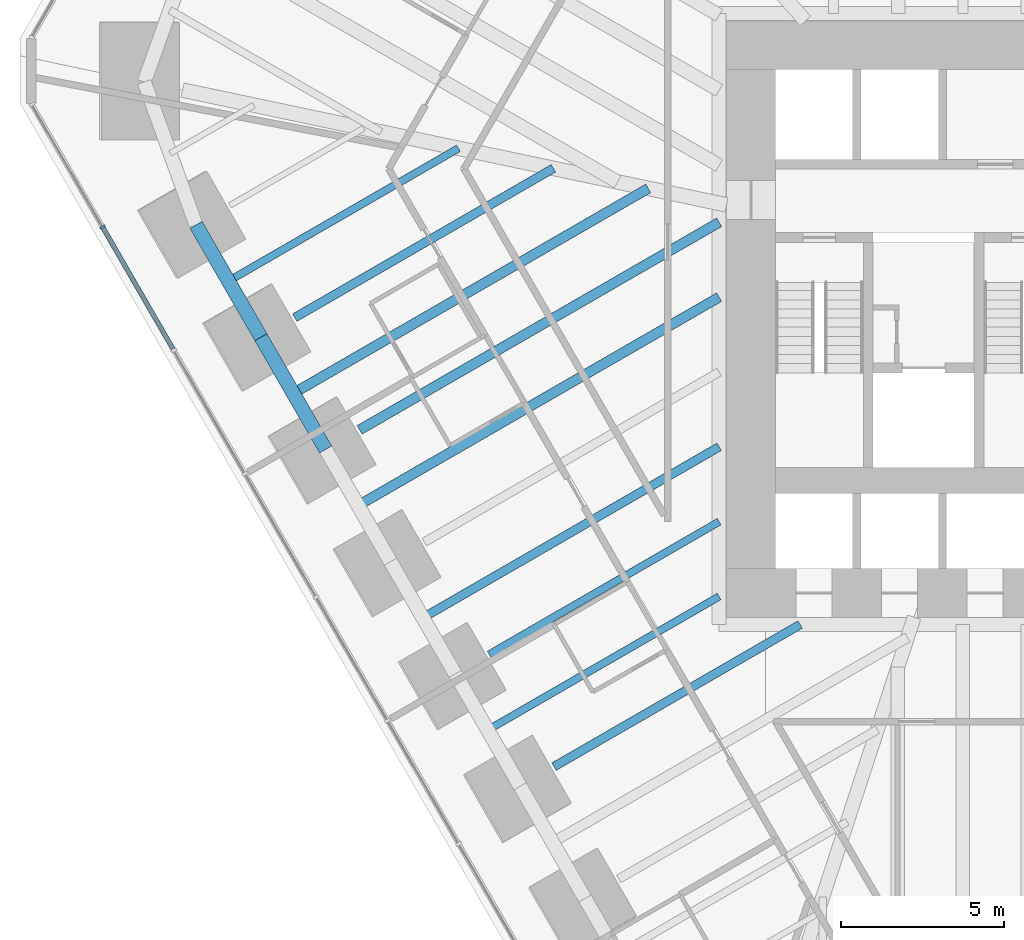
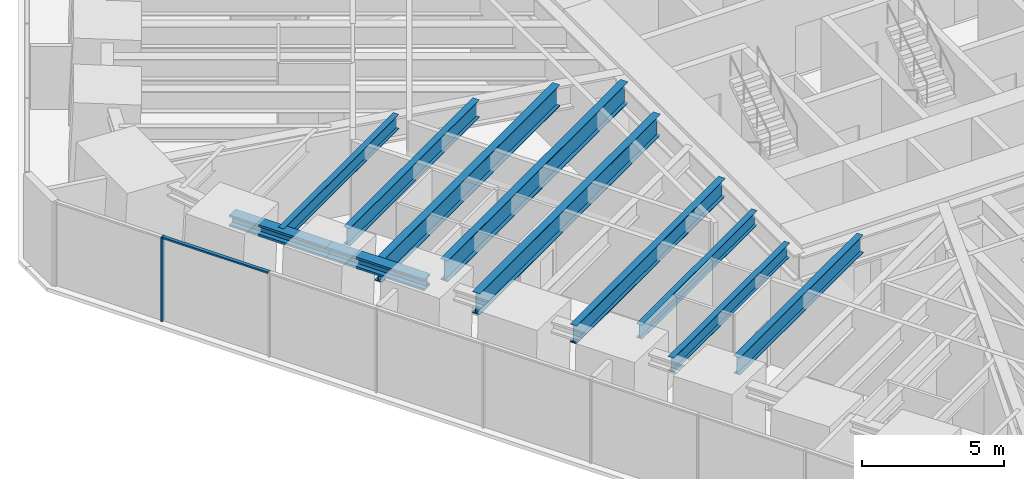
# One storey, part 3 of 17: 11 beams, 2 members, 1 element without a shape of its own.
"""IFC4 building model written with IfcOpenShell, lengths in metres."""

import ifcopenshell
import ifcopenshell.guid

model = None  # the IFC model being written
_history = None  # IfcOwnerHistory: only IFC2X3 demands one
_inside = {}  # id of a spatial element -> (the spatial element, [elements in it])
_under = {}  # id of a project, library or spatial element -> (it, [spatial elements below it])
_declared = {}  # id of a project -> (the project, [libraries it declares])
_typed = {}  # id of a type object -> (the type object, [elements of that type])
_made_of = {}  # id of a material, layer set ... -> (it, [elements and type objects made of it])


def new_model(schema):
    """Start an empty IFC model of exactly this schema.

    Asked for "IFC4X3", IfcOpenShell would pick the latest addendum, in which some entities
    have other attributes; the version numbers below select the first issue.
    IFC2X3 requires an IfcOwnerHistory on every rooted entity: one is made here for all.
    """
    global model, _history
    if schema == "IFC4X3":
        model = ifcopenshell.file(schema_version=(4, 3, 0, 0))
    else:
        model = ifcopenshell.file(schema=schema)
    _inside.clear()
    _under.clear()
    _declared.clear()
    _typed.clear()
    _made_of.clear()
    _history = None
    if model.schema == "IFC2X3":
        org = make("IfcOrganization", Name="unknown")
        user = make(
            "IfcPersonAndOrganization",
            ThePerson=make("IfcPerson", FamilyName="unknown"),
            TheOrganization=org,
        )
        app = make(
            "IfcApplication",
            ApplicationDeveloper=org,
            Version="unknown",
            ApplicationFullName="unknown",
            ApplicationIdentifier="unknown",
        )
        _history = make(
            "IfcOwnerHistory",
            OwningUser=user,
            OwningApplication=app,
            ChangeAction="ADDED",
            CreationDate=0,
        )
    return model


def make(cls, **values):
    """One entity of the class cls with the attributes given. An attribute that is None is left unset."""
    return model.create_entity(
        cls, **{name: value for name, value in values.items() if value is not None}
    )


def rooted(cls, **values):
    """An entity with a GlobalId (a new one), such as an element, a storey or a relation."""
    return make(cls, GlobalId=ifcopenshell.guid.new(), OwnerHistory=_history, **values)


def si_unit(unit_type, name, prefix=None):
    """IfcSIUnit, for example si_unit("LENGTHUNIT", "METRE", prefix="MILLI")."""
    return make("IfcSIUnit", UnitType=unit_type, Prefix=prefix, Name=name)


def assignment(units):
    """IfcUnitAssignment: the units of a project."""
    return None if units is None else make("IfcUnitAssignment", Units=units)


def point(xyz):
    """IfcCartesianPoint."""
    return None if xyz is None else make("IfcCartesianPoint", Coordinates=xyz)


def direction(xyz):
    """IfcDirection."""
    return None if xyz is None else make("IfcDirection", DirectionRatios=xyz)


def frame(location, z_axis=None, x_axis=None):
    """IfcAxis2Placement3D, a coordinate frame: its origin and axes. An axis left out is left unset."""
    return make(
        "IfcAxis2Placement3D",
        Location=point(location),
        Axis=direction(z_axis),
        RefDirection=direction(x_axis),
    )


def frame_2d(location, x_axis=None):
    """IfcAxis2Placement2D, a coordinate frame in the plane: its origin and x axis."""
    return make(
        "IfcAxis2Placement2D", Location=point(location), RefDirection=direction(x_axis)
    )


def origin():
    """The frame at (0, 0, 0) with its axes left unset."""
    return frame((0.0, 0.0, 0.0))


def origin_2d():
    """The frame at (0, 0) in the plane with its x axis left unset."""
    return frame_2d((0.0, 0.0))


def place(relative_to, where):
    """IfcLocalPlacement: puts the frame where relative to a parent placement (None: the world)."""
    return make(
        "IfcLocalPlacement", PlacementRelTo=relative_to, RelativePlacement=where
    )


def context(
    kind, dimensions, precision=None, world=None, true_north=None, identifier=None
):
    """IfcGeometricRepresentationContext, for example the 3D "Model" context."""
    return make(
        "IfcGeometricRepresentationContext",
        ContextIdentifier=identifier,
        ContextType=kind,
        CoordinateSpaceDimension=dimensions,
        Precision=precision,
        WorldCoordinateSystem=world,
        TrueNorth=true_north,
    )


def subcontext(parent, identifier, kind, view, scale=None):
    """IfcGeometricRepresentationSubContext, for example "Body" below "Model"."""
    return make(
        "IfcGeometricRepresentationSubContext",
        ContextIdentifier=identifier,
        ContextType=kind,
        ParentContext=parent,
        TargetScale=scale,
        TargetView=view,
    )


def project(units=None, contexts=None):
    """IfcProject with its units and contexts."""
    return rooted(
        "IfcProject",
        Name="project",
        RepresentationContexts=contexts,
        UnitsInContext=assignment(units),
    )


def spatial(cls, under=None, at=None, **own):
    """A site, building, storey or space (cls), placed at a placement, below another one or the project."""
    s = rooted(cls, ObjectPlacement=at, **own)
    if under is not None:
        _under.setdefault(under.id(), (under, []))[1].append(s)
    return s


def profile(cls, at=None, kind="AREA", **sizes):
    """A parametric profile (cls). Its sizes go by their IFC names, for example OverallWidth=200.0."""
    return make(cls, ProfileType=kind, Position=at, **sizes)


def rectangle(**sizes):
    """IfcRectangleProfileDef."""
    return profile("IfcRectangleProfileDef", **sizes)


def i_section(**sizes):
    """IfcIShapeProfileDef."""
    return profile("IfcIShapeProfileDef", **sizes)


def extrude(swept, where, along, depth):
    """IfcExtrudedAreaSolid: the profile swept, set in the frame where, extruded along a direction by depth."""
    return make(
        "IfcExtrudedAreaSolid",
        SweptArea=swept,
        Position=where,
        ExtrudedDirection=direction(along),
        Depth=depth,
    )


def shape(context_of_items, identifier, shape_type, items):
    """IfcShapeRepresentation: the items that make up one representation, for example the "Body"."""
    return make(
        "IfcShapeRepresentation",
        ContextOfItems=context_of_items,
        RepresentationIdentifier=identifier,
        RepresentationType=shape_type,
        Items=items,
    )


def material(Name=None, Category=None):
    """IfcMaterial."""
    return make("IfcMaterial", Name=Name, Category=Category)


def material_profile(
    of_material, cross_section, Name=None, Category=None, Priority=None
):
    """IfcMaterialProfile: a cross section and its material."""
    return make(
        "IfcMaterialProfile",
        Name=Name,
        Material=of_material,
        Profile=cross_section,
        Priority=Priority,
        Category=Category,
    )


def profile_set(profiles, Name=None, composite=None):
    """IfcMaterialProfileSet."""
    return make(
        "IfcMaterialProfileSet",
        Name=Name,
        MaterialProfiles=profiles,
        CompositeProfile=composite,
    )


def made_of(thing, what):
    """Note that an element or type object is made of a material, layer set ...; save() writes the relation."""
    if what is not None:
        _made_of.setdefault(what.id(), (what, []))[1].append(thing)
    return thing


def type_object(cls, material=None, **own):
    """A type object (cls), such as IfcWallType, which elements share."""
    return made_of(rooted(cls, **own), material)


def element(
    cls,
    number,
    at=None,
    inside=None,
    cuts=None,
    type_object=None,
    material=None,
    context=None,
    identifier="Body",
    shape_type=None,
    held_by="IfcProductDefinitionShape",
    body=None,
    shapes=None,
    **own,
):
    """One element of the class cls, such as IfcWall. Its Tag is "e" and its number.

    at: its placement. inside: the storey or other place that contains it. cuts: it is an
    opening in that element (IfcRelVoidsElement). A single representation is given by context,
    identifier, shape_type and body (its items); several are given by shapes. held_by: the class
    of the entity that holds the representations. save() writes the other relations.
    """
    e = rooted(cls, Tag="e%d" % number, ObjectPlacement=at, **own)
    if body is not None:
        shapes = [shape(context, identifier, shape_type, body)]
    if shapes is not None:
        e.Representation = make(held_by, Representations=shapes)
    if inside is not None:
        _inside.setdefault(inside.id(), (inside, []))[1].append(e)
    if cuts is not None:
        rooted(
            "IfcRelVoidsElement", RelatingBuildingElement=cuts, RelatedOpeningElement=e
        )
    if type_object is not None:
        _typed.setdefault(type_object.id(), (type_object, []))[1].append(e)
    return made_of(e, material)


def aggregate(whole, parts):
    """IfcRelAggregates: a whole, such as a stair, and the parts it consists of."""
    return rooted("IfcRelAggregates", RelatingObject=whole, RelatedObjects=parts)


def save(model, path):
    """Write the relations noted so far, then the file.

    IfcRelAggregates (storeys below a building ...), IfcRelContainedInSpatialStructure (elements
    in a storey), IfcRelDefinesByType, IfcRelAssociatesMaterial and IfcRelDeclares: one each for
    every whole, place, type object, material and project.
    """
    for whole, parts in _under.values():
        aggregate(whole, parts)
    for where, things in _inside.values():
        rooted(
            "IfcRelContainedInSpatialStructure",
            RelatedElements=things,
            RelatingStructure=where,
        )
    for kind, things in _typed.values():
        rooted("IfcRelDefinesByType", RelatedObjects=things, RelatingType=kind)
    for what, things in _made_of.values():
        rooted("IfcRelAssociatesMaterial", RelatedObjects=things, RelatingMaterial=what)
    for by, libraries in _declared.values():
        rooted("IfcRelDeclares", RelatingContext=by, RelatedDefinitions=libraries)
    model.write(path)


model = new_model("IFC4")

# Units and contexts
model_context = context("Model", 3, precision=1e-05, world=origin(), true_north=direction((0.0, 1.0)))
body_context = subcontext(model_context, "Body", "Model", "MODEL_VIEW")
ifc_project = project(units=[si_unit("LENGTHUNIT", "METRE"), si_unit("AREAUNIT", "SQUARE_METRE"), si_unit("VOLUMEUNIT", "CUBIC_METRE"), si_unit("PLANEANGLEUNIT", "RADIAN"), si_unit("MASSUNIT", "GRAM", prefix="KILO")], contexts=[model_context])

# Site, building, storey
site_placement = place(None, origin())
site = spatial("IfcSite", under=ifc_project, at=site_placement, CompositionType="ELEMENT")
building_placement = place(site_placement, origin())
building = spatial("IfcBuilding", under=site, at=building_placement, Name="Sandreach Pilgrim Tower", CompositionType="ELEMENT")
storey_placement = place(building_placement, frame((0.0, 0.0, 87.60009765625)))
storey = spatial("IfcBuildingStorey", under=building, at=storey_placement, Name="L21", CompositionType="ELEMENT", Elevation=87.60009765625)

# Beams
ifc_material_1 = material(Name="Steel ASTM A913 Grade 65", Category="steel")
ifc_material_profile_1 = material_profile(ifc_material_1, i_section(OverallWidth=0.431884765625, OverallDepth=0.497802734375, WebThickness=0.0556640625, FlangeThickness=0.0888671875, at=origin_2d()), Name="W14X500")
ifc_profile_set_1 = profile_set([ifc_material_profile_1], Name="Steel ASTM A913 Grade 65")
beam_type_1 = type_object("IfcBeamType", Name="Belt truss chord W14X500", PredefinedType="BEAM", material=ifc_profile_set_1)
beam_1_placement = place(storey_placement, frame((-21.54345703125, -5.550048828125, 3.390869140625), z_axis=(-0.499995262016, 0.866028139243, 0.0), x_axis=(-0.866028139243, -0.499995262016, 0.0)))
element("IfcBeam", 1, at=beam_1_placement, inside=storey, type_object=beam_type_1, Name="BM L21 BTB32", PredefinedType="BEAM", context=body_context, shape_type="SweptSolid", body=[
    extrude(i_section(OverallWidth=0.431884765625, OverallDepth=0.497802734375, WebThickness=0.0556640625, FlangeThickness=0.0888671875, at=origin_2d()), origin(), (0.0, 0.0, 1.0), 3.9765625),
])
beam_2_placement = place(storey_placement, frame((-23.53173828125, -2.106201171875, 3.390869140625), z_axis=(-0.500014721933, 0.866016903906, 0.0), x_axis=(-0.866016903906, -0.500014721933, 0.0)))
element("IfcBeam", 2, at=beam_2_placement, inside=storey, type_object=beam_type_1, Name="BM L21 BTB33", PredefinedType="BEAM", context=body_context, shape_type="SweptSolid", body=[
    extrude(i_section(OverallWidth=0.431884765625, OverallDepth=0.497802734375, WebThickness=0.0556640625, FlangeThickness=0.0888671875, at=origin_2d()), origin(), (0.0, 0.0, 1.0), 3.97705078125),
])

# Curtain wall, members
ifc_material_2 = material(Name="Aluminium framed curtain wall", Category="aluminium")
curtain_wall_type = type_object("IfcCurtainWallType", Name="Hostel tower curtain wall", PredefinedType="NOTDEFINED", material=ifc_material_2)
curtain_wall_placement = place(storey_placement, origin())
curtain_wall = element("IfcCurtainWall", 3, at=curtain_wall_placement, inside=storey, type_object=curtain_wall_type, Name="CW-1 L21 SW", PredefinedType="NOTDEFINED")
ifc_material_3 = material(Name="Aluminium extrusion", Category="aluminium")
ifc_material_profile_2 = material_profile(ifc_material_3, rectangle(XDim=0.06494140625, YDim=0.179931640625, at=origin_2d()), Name="CW-1M 65X180")
ifc_profile_set_2 = profile_set([ifc_material_profile_2], Name="Aluminium extrusion")
member_type_1 = type_object("IfcMemberType", Name="CW-1 mullion", PredefinedType="MULLION", material=ifc_profile_set_2)
member_1_placement = place(storey_placement, frame((-28.390380859375, 1.2763671875, 0.0), z_axis=(0.0, 0.0, 1.0), x_axis=(-0.5, 0.866025403784, 0.0)))
member_1 = element("IfcMember", 4, at=member_1_placement, type_object=member_type_1, Name="CW-1 mullion 9", PredefinedType="MULLION", context=body_context, shape_type="SweptSolid", body=[
    extrude(rectangle(XDim=0.06494140625, YDim=0.179931640625, at=origin_2d()), origin(), (0.0, 0.0, 1.0), 3.639892578125),
])
ifc_material_4 = material(Name="Aluminium extrusion", Category="aluminium")
ifc_material_profile_3 = material_profile(ifc_material_4, rectangle(XDim=0.139892578125, YDim=0.070068359375, at=origin_2d()), Name="CW-1T 140X70")
ifc_profile_set_3 = profile_set([ifc_material_profile_3], Name="Aluminium extrusion")
member_type_2 = type_object("IfcMemberType", Name="CW-1 transom", PredefinedType="USERDEFINED", material=ifc_profile_set_3)
member_2_placement = place(storey_placement, frame((-26.220947265625, -2.4814453125, 3.60498046875), z_axis=(-0.500016891966, 0.866015650984, 0.0), x_axis=(-0.866015650984, -0.500016891966, 0.0)))
member_2 = element("IfcMember", 5, at=member_2_placement, type_object=member_type_2, Name="CW-1 head transom 8", ObjectType="TRANSOM", PredefinedType="USERDEFINED", context=body_context, shape_type="SweptSolid", body=[
    extrude(rectangle(XDim=0.139892578125, YDim=0.070068359375, at=origin_2d()), origin(), (0.0, 0.0, 1.0), 4.306396484375),
])
aggregate(curtain_wall, [member_1, member_2])

# Beams
ifc_material_5 = material(Name="Steel ASTM A992 Grade 50", Category="steel")
ifc_material_profile_4 = material_profile(ifc_material_5, i_section(OverallWidth=0.23046875, OverallDepth=0.6171875, WebThickness=0.01318359375, FlangeThickness=0.022216796875, at=origin_2d()), Name="W24X94")
ifc_profile_set_4 = profile_set([ifc_material_profile_4], Name="Steel ASTM A992 Grade 50")
beam_type_2 = type_object("IfcBeamType", Name="Floor beam W24X94", PredefinedType="BEAM", material=ifc_profile_set_4)
beam_3_placement = place(storey_placement, frame((-16.52734375, -11.838134765625, 3.331298828125), z_axis=(0.866015905831, 0.500016450577, 0.0), x_axis=(-0.500016450577, 0.866015905831, 0.0)))
element("IfcBeam", 6, at=beam_3_placement, inside=storey, type_object=beam_type_2, Name="BM L21 F30", PredefinedType="BEAM", context=body_context, shape_type="SweptSolid", body=[
    extrude(i_section(OverallWidth=0.23046875, OverallDepth=0.6171875, WebThickness=0.01318359375, FlangeThickness=0.022216796875, at=origin_2d()), origin(), (0.0, 0.0, 1.0), 8.146728515625),
])
beam_4_placement = place(storey_placement, frame((-16.572509765625, -14.16015625, 3.331298828125), z_axis=(0.866026407964, 0.499998260706, 0.0), x_axis=(-0.499998260706, 0.866026407964, 0.0)))
element("IfcBeam", 7, at=beam_4_placement, inside=storey, type_object=beam_type_2, Name="BM L21 FM29", PredefinedType="BEAM", context=body_context, shape_type="SweptSolid", body=[
    extrude(i_section(OverallWidth=0.23046875, OverallDepth=0.6171875, WebThickness=0.01318359375, FlangeThickness=0.022216796875, at=origin_2d()), origin(), (0.0, 0.0, 1.0), 8.19873046875),
])
beam_5_placement = place(storey_placement, frame((-24.52587890625, -0.384033203125, 3.331298828125), z_axis=(0.866032360344, 0.499987950692, 0.0), x_axis=(-0.499987950692, 0.866032360344, 0.0)))
element("IfcBeam", 8, at=beam_5_placement, inside=storey, type_object=beam_type_2, Name="BM L21 FM33", PredefinedType="BEAM", context=body_context, shape_type="SweptSolid", body=[
    extrude(i_section(OverallWidth=0.23046875, OverallDepth=0.6171875, WebThickness=0.01318359375, FlangeThickness=0.022216796875, at=origin_2d()), origin(), (0.0, 0.0, 1.0), 8.145751953125),
])
ifc_material_6 = material(Name="Steel ASTM A992 Grade 50", Category="steel")
ifc_material_profile_5 = material_profile(ifc_material_6, i_section(OverallWidth=0.2666015625, OverallDepth=0.761962890625, WebThickness=0.014404296875, FlangeThickness=0.021484375, at=origin_2d()), Name="W30X116")
ifc_profile_set_5 = profile_set([ifc_material_profile_5], Name="Steel ASTM A992 Grade 50")
beam_type_3 = type_object("IfcBeamType", Name="Floor beam W30X116", PredefinedType="BEAM", material=ifc_profile_set_5)
beam_6_placement = place(storey_placement, frame((-14.5390625, -15.281982421875, 3.2587890625), z_axis=(0.866032659912, 0.499987431809, 0.0), x_axis=(-0.499987431809, 0.866032659912, 0.0)))
element("IfcBeam", 9, at=beam_6_placement, inside=storey, type_object=beam_type_3, Name="BM L21 F29", PredefinedType="BEAM", context=body_context, shape_type="SweptSolid", body=[
    extrude(i_section(OverallWidth=0.2666015625, OverallDepth=0.761962890625, WebThickness=0.014404296875, FlangeThickness=0.021484375, at=origin_2d()), origin(), (0.0, 0.0, 1.0), 8.719970703125),
])
beam_7_placement = place(storey_placement, frame((-22.492431640625, -1.506103515625, 3.2587890625), z_axis=(0.866023583738, 0.5000031524, 0.0), x_axis=(-0.5000031524, 0.866023583738, 0.0)))
element("IfcBeam", 10, at=beam_7_placement, inside=storey, type_object=beam_type_3, Name="BM L21 F33", PredefinedType="BEAM", context=body_context, shape_type="SweptSolid", body=[
    extrude(i_section(OverallWidth=0.2666015625, OverallDepth=0.761962890625, WebThickness=0.014404296875, FlangeThickness=0.021484375, at=origin_2d()), origin(), (0.0, 0.0, 1.0), 9.16015625),
])
ifc_material_7 = material(Name="Steel ASTM A992 Grade 50", Category="steel")
ifc_material_profile_6 = material_profile(ifc_material_7, i_section(OverallWidth=0.2666015625, OverallDepth=0.77978515625, WebThickness=0.0166015625, FlangeThickness=0.030029296875, at=origin_2d()), Name="W30X148")
ifc_profile_set_6 = profile_set([ifc_material_profile_6], Name="Steel ASTM A992 Grade 50")
beam_type_4 = type_object("IfcBeamType", Name="Floor beam W30X148", PredefinedType="BEAM", material=ifc_profile_set_6)
beam_8_placement = place(storey_placement, frame((-18.560791015625, -10.716064453125, 3.25), z_axis=(0.86602558985, 0.499999677725, 0.0), x_axis=(-0.499999677725, 0.86602558985, 0.0)))
element("IfcBeam", 11, at=beam_8_placement, inside=storey, type_object=beam_type_4, Name="BM L21 FM30", PredefinedType="BEAM", context=body_context, shape_type="SweptSolid", body=[
    extrude(i_section(OverallWidth=0.2666015625, OverallDepth=0.77978515625, WebThickness=0.0166015625, FlangeThickness=0.030029296875, at=origin_2d()), origin(), (0.0, 0.0, 1.0), 10.49462890625),
])
ifc_material_8 = material(Name="Steel ASTM A992 Grade 50", Category="steel")
ifc_material_profile_7 = material_profile(ifc_material_8, i_section(OverallWidth=0.3046875, OverallDepth=0.914306640625, WebThickness=0.0166015625, FlangeThickness=0.02587890625, at=origin_2d()), Name="W36X160")
ifc_profile_set_7 = profile_set([ifc_material_profile_7], Name="Steel ASTM A992 Grade 50")
beam_type_5 = type_object("IfcBeamType", Name="Floor beam W36X160", PredefinedType="BEAM", material=ifc_profile_set_7)
beam_9_placement = place(storey_placement, frame((-20.504150390625, -4.9501953125, 3.1826171875), z_axis=(0.866023134992, 0.500003929644, 0.0), x_axis=(-0.500003929644, 0.866023134992, 0.0)))
element("IfcBeam", 12, at=beam_9_placement, inside=storey, type_object=beam_type_5, Name="BM L21 F32", PredefinedType="BEAM", context=body_context, shape_type="SweptSolid", body=[
    extrude(i_section(OverallWidth=0.3046875, OverallDepth=0.914306640625, WebThickness=0.0166015625, FlangeThickness=0.02587890625, at=origin_2d()), origin(), (0.0, 0.0, 1.0), 12.73876953125),
])
beam_10_placement = place(storey_placement, frame((-20.54931640625, -7.272216796875, 3.1826171875), z_axis=(0.866021572231, 0.500006636387, 0.0), x_axis=(-0.500006636387, 0.866021572231, 0.0)))
element("IfcBeam", 13, at=beam_10_placement, inside=storey, type_object=beam_type_5, Name="BM L21 FM31", PredefinedType="BEAM", context=body_context, shape_type="SweptSolid", body=[
    extrude(i_section(OverallWidth=0.3046875, OverallDepth=0.914306640625, WebThickness=0.0166015625, FlangeThickness=0.02587890625, at=origin_2d()), origin(), (0.0, 0.0, 1.0), 12.790771484375),
])
beam_11_placement = place(storey_placement, frame((-22.53759765625, -3.828125, 3.1826171875), z_axis=(0.866022955265, 0.500004240936, 0.0), x_axis=(-0.500004240936, 0.866022955265, 0.0)))
element("IfcBeam", 14, at=beam_11_placement, inside=storey, type_object=beam_type_5, Name="BM L21 FM32", PredefinedType="BEAM", context=body_context, shape_type="SweptSolid", body=[
    extrude(i_section(OverallWidth=0.3046875, OverallDepth=0.914306640625, WebThickness=0.0166015625, FlangeThickness=0.02587890625, at=origin_2d()), origin(), (0.0, 0.0, 1.0), 12.57470703125),
])

save(model, "model.ifc")
